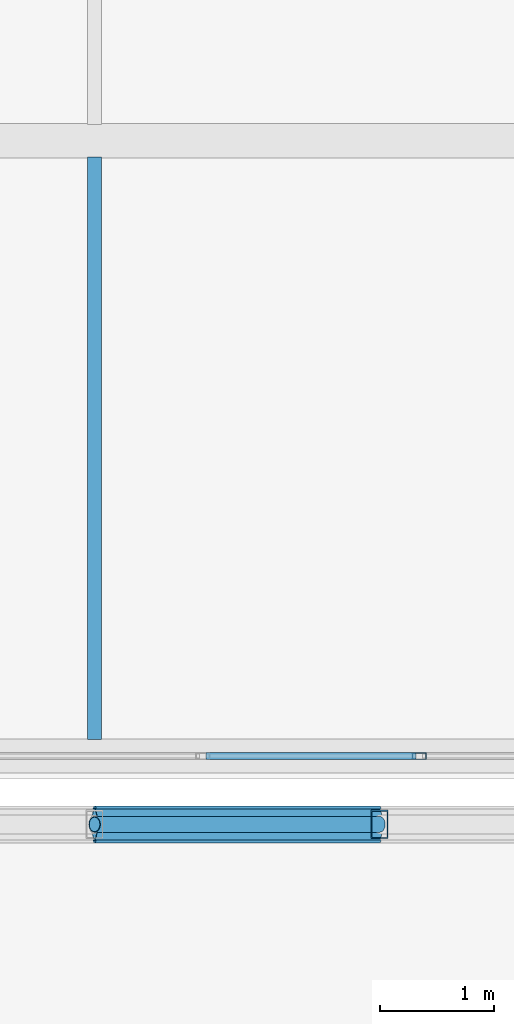
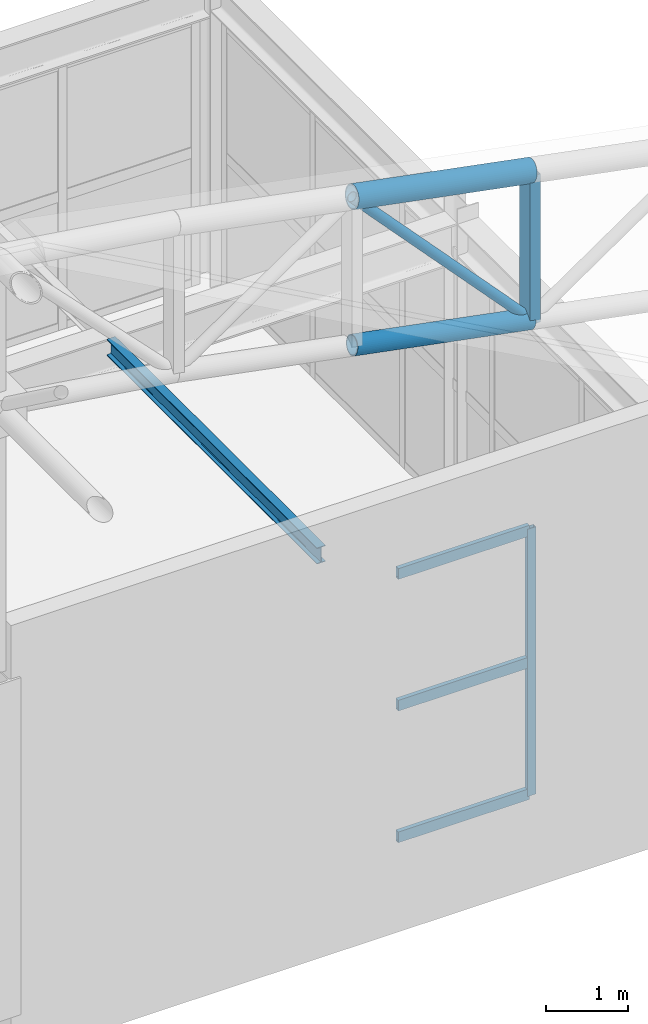
# One storey, part 74 of 112: 8 members, 1 beam, 1 element without a shape of its own.
"""IFC4 building model written with IfcOpenShell, lengths in metres."""

from ifc_helpers import new_model, si_unit, direction, frame, origin, origin_2d, place, context, subcontext, project, spatial, hollow_rectangle, hollow_circle, i_section, extrude, material, material_profile, profile_set, type_object, element, aggregate, save


model = new_model("IFC4")

# Units and contexts
model_context = context("Model", 3, precision=1e-05, world=origin(), true_north=direction((0.0, 1.0)))
body_context = subcontext(model_context, "Body", "Model", "MODEL_VIEW")
ifc_project = project(units=[si_unit("LENGTHUNIT", "METRE"), si_unit("AREAUNIT", "SQUARE_METRE"), si_unit("VOLUMEUNIT", "CUBIC_METRE"), si_unit("PLANEANGLEUNIT", "RADIAN"), si_unit("MASSUNIT", "GRAM", prefix="KILO")], contexts=[model_context])

# Site, building, storey
site_placement = place(None, origin())
site = spatial("IfcSite", under=ifc_project, at=site_placement, CompositionType="ELEMENT")
building_placement = place(site_placement, origin())
building = spatial("IfcBuilding", under=site, at=building_placement, Name="Kaldris Quays Convention Centre", CompositionType="ELEMENT")
storey_placement = place(building_placement, frame((0.0, 0.0, 16.800048828125)))
storey = spatial("IfcBuildingStorey", under=building, at=storey_placement, Name="L03", CompositionType="ELEMENT", Elevation=16.800048828125)

# Curtain wall, members
ifc_material_1 = material(Name="Anodized aluminium AW-6060 and triple glazing", Category="aluminium")
curtain_wall_type = type_object("IfcCurtainWallType", Name="UNITISED CURTAIN WALL CW06", PredefinedType="NOTDEFINED", material=ifc_material_1)
curtain_wall_placement = place(storey_placement, origin())
curtain_wall = element("IfcCurtainWall", 1, at=curtain_wall_placement, inside=storey, type_object=curtain_wall_type, Name="L03 Unitised Curtain Wall CW06 178", PredefinedType="NOTDEFINED")
ifc_material_2 = material(Name="Anodized aluminium AW-6060", Category="aluminium")
ifc_material_profile_1 = material_profile(ifc_material_2, hollow_rectangle(XDim=0.06005859375, YDim=0.1201171875, WallThickness=0.00390625, at=origin_2d()), Name="RHS 120x60x4")
ifc_profile_set_1 = profile_set([ifc_material_profile_1], Name="Anodized aluminium AW-6060")
member_type_1 = type_object("IfcMemberType", Name="CURTAIN MULLION CWM3", PredefinedType="MULLION", material=ifc_profile_set_1)
member_1_placement = place(storey_placement, frame((191.85009765625, 104.60009765625, 0.0), z_axis=(0.0, 0.0, 1.0), x_axis=(0.0, 1.0, 0.0)))
member_1 = element("IfcMember", 2, at=member_1_placement, type_object=member_type_1, Name="CW06 mullion 5", PredefinedType="MULLION", context=body_context, shape_type="SweptSolid", body=[
    extrude(hollow_rectangle(XDim=0.06005859375, YDim=0.1201171875, WallThickness=0.00390625, at=origin_2d()), origin(), (0.0, 0.0, 1.0), 3.967041015625),
])
ifc_material_profile_2 = material_profile(ifc_material_2, hollow_rectangle(XDim=0.06005859375, YDim=0.159912109375, WallThickness=0.00390625, at=origin_2d()), Name="RHS 160x60x4")
ifc_profile_set_2 = profile_set([ifc_material_profile_2], Name="Anodized aluminium AW-6060")
member_type_2 = type_object("IfcMemberType", Name="CURTAIN TRANSOM CWT2", PredefinedType="USERDEFINED", material=ifc_profile_set_2)
member_2_placement = place(storey_placement, frame((189.97998046875, 104.60009765625, 0.030029296875), z_axis=(1.0, 0.0, 0.0), x_axis=(0.0, 1.0, 0.0)))
member_2 = element("IfcMember", 3, at=member_2_placement, type_object=member_type_2, Name="CW06 transom 4.1", ObjectType="TRANSOM", PredefinedType="USERDEFINED", context=body_context, shape_type="SweptSolid", body=[
    extrude(hollow_rectangle(XDim=0.06005859375, YDim=0.159912109375, WallThickness=0.00390625, at=origin_2d()), origin(), (0.0, 0.0, 1.0), 1.840087890625),
])
member_3_placement = place(storey_placement, frame((189.97998046875, 104.60009765625, 1.98388671875), z_axis=(1.0, 0.0, 0.0), x_axis=(0.0, 1.0, 0.0)))
member_3 = element("IfcMember", 4, at=member_3_placement, type_object=member_type_2, Name="CW06 transom 4.2", ObjectType="TRANSOM", PredefinedType="USERDEFINED", context=body_context, shape_type="SweptSolid", body=[
    extrude(hollow_rectangle(XDim=0.06005859375, YDim=0.159912109375, WallThickness=0.00390625, at=origin_2d()), origin(), (0.0, 0.0, 1.0), 1.840087890625),
])
member_4_placement = place(storey_placement, frame((189.97998046875, 104.60009765625, 3.93701171875), z_axis=(1.0, 0.0, 0.0), x_axis=(0.0, 1.0, 0.0)))
member_4 = element("IfcMember", 5, at=member_4_placement, type_object=member_type_2, Name="CW06 transom 4.3", ObjectType="TRANSOM", PredefinedType="USERDEFINED", context=body_context, shape_type="SweptSolid", body=[
    extrude(hollow_rectangle(XDim=0.06005859375, YDim=0.159912109375, WallThickness=0.00390625, at=origin_2d()), origin(), (0.0, 0.0, 1.0), 1.840087890625),
])
aggregate(curtain_wall, [member_1, member_2, member_3, member_4])

# Beam
ifc_material_3 = material(Name="Steel S355J2", Category="steel")
ifc_material_profile_3 = material_profile(ifc_material_3, i_section(OverallWidth=0.1201171875, OverallDepth=0.239990234375, WebThickness=0.006103515625, FlangeThickness=0.009765625, FilletRadius=0.014892578125, at=origin_2d()), Name="IPE 240")
ifc_profile_set_3 = profile_set([ifc_material_profile_3], Name="Steel S355J2")
beam_type = type_object("IfcBeamType", Name="STRUCTURAL BEAM JT05", PredefinedType="JOIST", material=ifc_profile_set_3)
beam_placement = place(storey_placement, frame((189.0, 104.743896484375, 4.4619140625), z_axis=(0.0, 1.0, 0.0), x_axis=(-1.0, 0.0, 0.0)))
element("IfcBeam", 6, at=beam_placement, inside=storey, type_object=beam_type, Name="L03 Secondary Joist JT05 30", PredefinedType="JOIST", context=body_context, shape_type="SweptSolid", body=[
    extrude(i_section(OverallWidth=0.1201171875, OverallDepth=0.239990234375, WebThickness=0.006103515625, FlangeThickness=0.009765625, FilletRadius=0.014892578125, at=origin_2d()), origin(), (0.0, 0.0, 1.0), 5.112060546875),
])

# Members
ifc_material_4 = material(Name="Steel S355J2H", Category="steel")
ifc_material_profile_4 = material_profile(ifc_material_4, hollow_circle(Radius=0.161865234375, WallThickness=0.01611328125, at=origin_2d()), Name="CHS 323.9x16")
ifc_profile_set_4 = profile_set([ifc_material_profile_4], Name="Steel S355J2H")
member_type_3 = type_object("IfcMemberType", Name="STRUCTURAL MEMBER SC03", PredefinedType="CHORD", material=ifc_profile_set_4)
member_5_placement = place(storey_placement, frame((189.0, 104.0, 10.223876953125), z_axis=(0.981903710383, 0.0, -0.189380842579), x_axis=(0.0, 1.0, 0.0)))
element("IfcMember", 7, at=member_5_placement, inside=storey, type_object=member_type_3, Name="SF-V2 Top Chord X 70", PredefinedType="CHORD", context=body_context, shape_type="SweptSolid", body=[
    extrude(hollow_circle(Radius=0.161865234375, WallThickness=0.01611328125, at=origin_2d()), origin(), (0.0, 0.0, 1.0), 2.546142578125),
])
ifc_material_profile_5 = material_profile(ifc_material_4, hollow_circle(Radius=0.136474609375, WallThickness=0.012451171875, at=origin_2d()), Name="CHS 273x12.5")
ifc_profile_set_5 = profile_set([ifc_material_profile_5], Name="Steel S355J2H")
member_type_4 = type_object("IfcMemberType", Name="STRUCTURAL MEMBER SC04", PredefinedType="CHORD", material=ifc_profile_set_5)
member_6_placement = place(storey_placement, frame((189.0, 104.0, 8.02392578125), z_axis=(0.981903710383, 0.0, -0.189380842579), x_axis=(0.0, 1.0, 0.0)))
element("IfcMember", 8, at=member_6_placement, inside=storey, type_object=member_type_4, Name="SF-V2 Bottom Chord X 70", PredefinedType="CHORD", context=body_context, shape_type="SweptSolid", body=[
    extrude(hollow_circle(Radius=0.136474609375, WallThickness=0.012451171875, at=origin_2d()), origin(), (0.0, 0.0, 1.0), 2.546142578125),
])
ifc_material_profile_6 = material_profile(ifc_material_4, hollow_circle(Radius=0.06982421875, WallThickness=0.00634765625, at=origin_2d()), Name="CHS 139.7x6.3")
ifc_profile_set_6 = profile_set([ifc_material_profile_6], Name="Steel S355J2H")
member_type_5 = type_object("IfcMemberType", Name="STRUCTURAL MEMBER SWB4", PredefinedType="BRACE", material=ifc_profile_set_6)
member_7_placement = place(storey_placement, frame((191.5, 104.0, 7.541748046875), z_axis=(-0.68183413121, 0.0, 0.731506813035), x_axis=(0.0, -1.0, 0.0)))
element("IfcMember", 9, at=member_7_placement, inside=storey, type_object=member_type_5, Name="SF-V2 Web Diagonal X 70", PredefinedType="BRACE", context=body_context, shape_type="SweptSolid", body=[
    extrude(hollow_circle(Radius=0.06982421875, WallThickness=0.00634765625, at=origin_2d()), origin(), (0.0, 0.0, 1.0), 3.66650390625),
])
ifc_material_profile_7 = material_profile(ifc_material_4, hollow_rectangle(XDim=0.14990234375, YDim=0.25, WallThickness=0.010009765625, at=origin_2d()), Name="RHS 250x150x10")
ifc_profile_set_7 = profile_set([ifc_material_profile_7], Name="Steel S355J2H")
member_type_6 = type_object("IfcMemberType", Name="STRUCTURAL MEMBER TTV1", PredefinedType="POST", material=ifc_profile_set_7)
member_8_placement = place(storey_placement, frame((191.5, 104.0, 7.541748046875), z_axis=(0.0, 0.0, 1.0), x_axis=(1.0, 0.0, 0.0)))
element("IfcMember", 10, at=member_8_placement, inside=storey, type_object=member_type_6, Name="SF-V2 Space-Frame Post 91", PredefinedType="POST", context=body_context, shape_type="SweptSolid", body=[
    extrude(hollow_rectangle(XDim=0.14990234375, YDim=0.25, WallThickness=0.010009765625, at=origin_2d()), origin(), (0.0, 0.0, 1.0), 2.199951171875),
])

save(model, "model.ifc")
